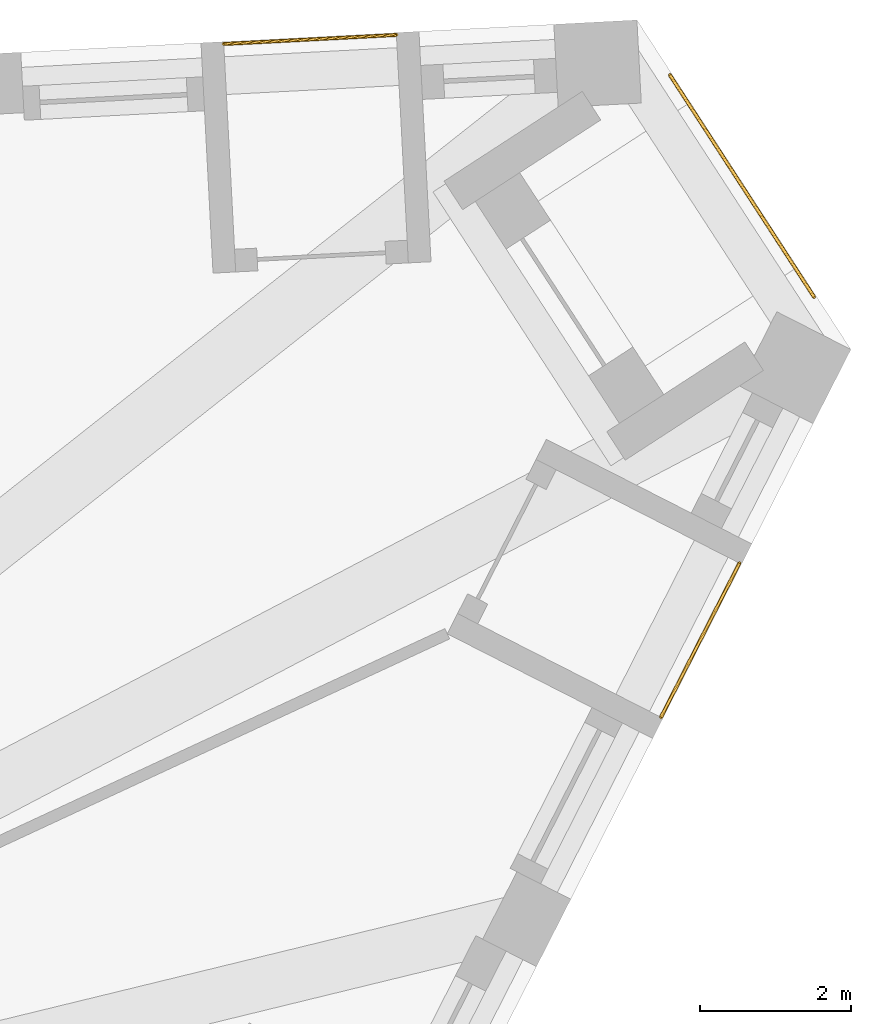
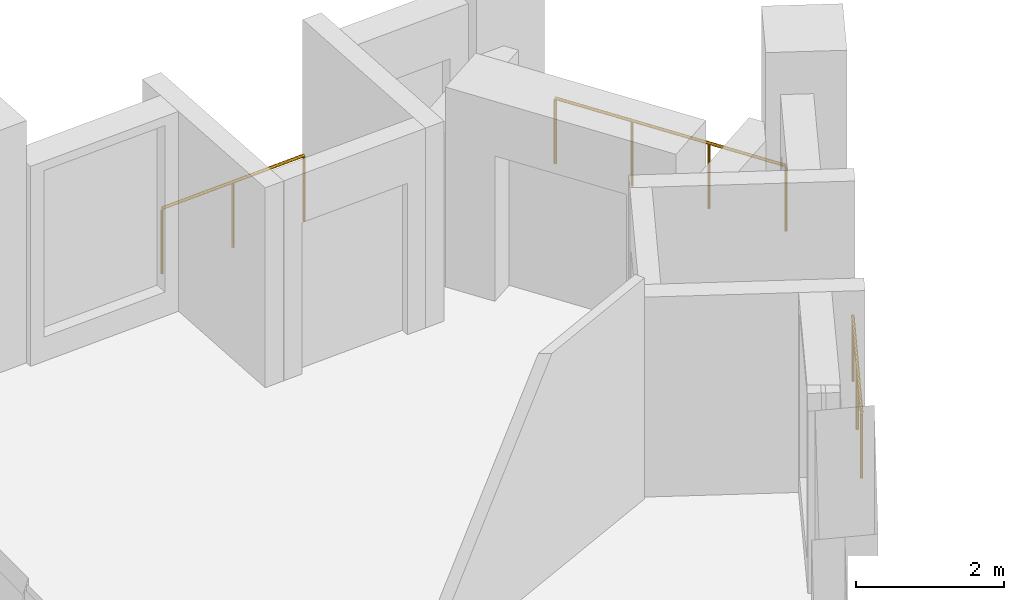
# One storey, part 13 of 13: 3 railings.
"""IFC4 building model written with IfcOpenShell, lengths in metres."""

from ifc_helpers import new_model, si_unit, direction, frame, origin, origin_2d, place, context, subcontext, project, spatial, circle, extrude, material, type_object, element, save


model = new_model("IFC4")

# Units and contexts
model_context = context("Model", 3, precision=1e-05, world=origin(), true_north=direction((0.0, 1.0)))
body_context = subcontext(model_context, "Body", "Model", "MODEL_VIEW")
ifc_project = project(units=[si_unit("LENGTHUNIT", "METRE"), si_unit("AREAUNIT", "SQUARE_METRE"), si_unit("VOLUMEUNIT", "CUBIC_METRE"), si_unit("PLANEANGLEUNIT", "RADIAN"), si_unit("MASSUNIT", "GRAM", prefix="KILO")], contexts=[model_context])

# Site, building, storey
site_placement = place(None, origin())
site = spatial("IfcSite", under=ifc_project, at=site_placement, CompositionType="ELEMENT")
building_placement = place(site_placement, origin())
building = spatial("IfcBuilding", under=site, at=building_placement, Name="Tramontana Tower", CompositionType="ELEMENT")
storey_placement = place(building_placement, frame((0.0, 0.0, 294.39990234375)))
storey = spatial("IfcBuildingStorey", under=building, at=storey_placement, Name="L69", CompositionType="ELEMENT", Elevation=294.39990234375)

# Railings
ifc_material = material(Name="Laminated glass balustrade", Category="glass")
railing_type = type_object("IfcRailingType", Name="GD1 Loggia glass balustrade 1100", PredefinedType="BALUSTRADE", material=ifc_material)
railing_1_placement = place(storey_placement, frame((21.128173828125, 7.390625, 0.0)))
element("IfcRailing", 1, at=railing_1_placement, inside=storey, type_object=railing_type, Name="Loggia balustrade L69 G7S1.13", PredefinedType="BALUSTRADE", context=body_context, shape_type="SweptSolid", body=[
    extrude(circle(Radius=0.02392578125, at=origin_2d()), frame((0.0, 0.0, 1.076171875), z_axis=(0.453948171533, 0.89102809022, 0.0), x_axis=(-0.89102809022, 0.453948171533, 0.0)), (0.0, 0.0, 1.0), 2.286865234375),
    extrude(circle(Radius=0.02099609375, at=origin_2d()), origin(), (0.0, 0.0, 1.0), 1.052001953125),
    extrude(circle(Radius=0.02099609375, at=origin_2d()), frame((0.51904296875, 1.018798828125, 0.0)), (0.0, 0.0, 1.0), 1.052001953125),
    extrude(circle(Radius=0.02099609375, at=origin_2d()), frame((1.0380859375, 2.03759765625, 0.0)), (0.0, 0.0, 1.0), 1.052001953125),
])
railing_2_placement = place(storey_placement, frame((17.62890625, 16.4150390625, 0.0)))
element("IfcRailing", 2, at=railing_2_placement, inside=storey, type_object=railing_type, Name="Loggia balustrade L69 G7S2.1", PredefinedType="BALUSTRADE", context=body_context, shape_type="SweptSolid", body=[
    extrude(circle(Radius=0.02392578125, at=origin_2d()), frame((0.0, 0.0, 1.076171875), z_axis=(-0.998630775221, -0.052312281362, 0.0), x_axis=(0.052312281362, -0.998630775221, 0.0)), (0.0, 0.0, 1.0), 2.286865234375),
    extrude(circle(Radius=0.02099609375, at=origin_2d()), origin(), (0.0, 0.0, 1.0), 1.052001953125),
    extrude(circle(Radius=0.02099609375, at=origin_2d()), frame((-1.141845703125, -0.059814453125, 0.0)), (0.0, 0.0, 1.0), 1.052001953125),
    extrude(circle(Radius=0.02099609375, at=origin_2d()), frame((-2.28369140625, -0.11962890625, 0.0)), (0.0, 0.0, 1.0), 1.052001953125),
])
railing_3_placement = place(storey_placement, frame((21.24658203125, 15.88427734375, 0.0)))
element("IfcRailing", 3, at=railing_3_placement, inside=storey, type_object=railing_type, Name="Corner loggia balustrade L69 K72", PredefinedType="BALUSTRADE", context=body_context, shape_type="SweptSolid", body=[
    extrude(circle(Radius=0.02392578125, at=origin_2d()), frame((0.0, 0.0, 1.076171875), z_axis=(0.544647498784, -0.838665071449, 0.0), x_axis=(0.838665071449, 0.544647498784, 0.0)), (0.0, 0.0, 1.0), 3.5),
    extrude(circle(Radius=0.02099609375, at=origin_2d()), origin(), (0.0, 0.0, 1.0), 1.052001953125),
    extrude(circle(Radius=0.02099609375, at=origin_2d()), frame((0.635498046875, -0.978515625, 0.0)), (0.0, 0.0, 1.0), 1.052001953125),
    extrude(circle(Radius=0.02099609375, at=origin_2d()), frame((1.270751953125, -1.956787109375, 0.0)), (0.0, 0.0, 1.0), 1.052001953125),
    extrude(circle(Radius=0.02099609375, at=origin_2d()), frame((1.90625, -2.935302734375, 0.0)), (0.0, 0.0, 1.0), 1.052001953125),
])

save(model, "model.ifc")
